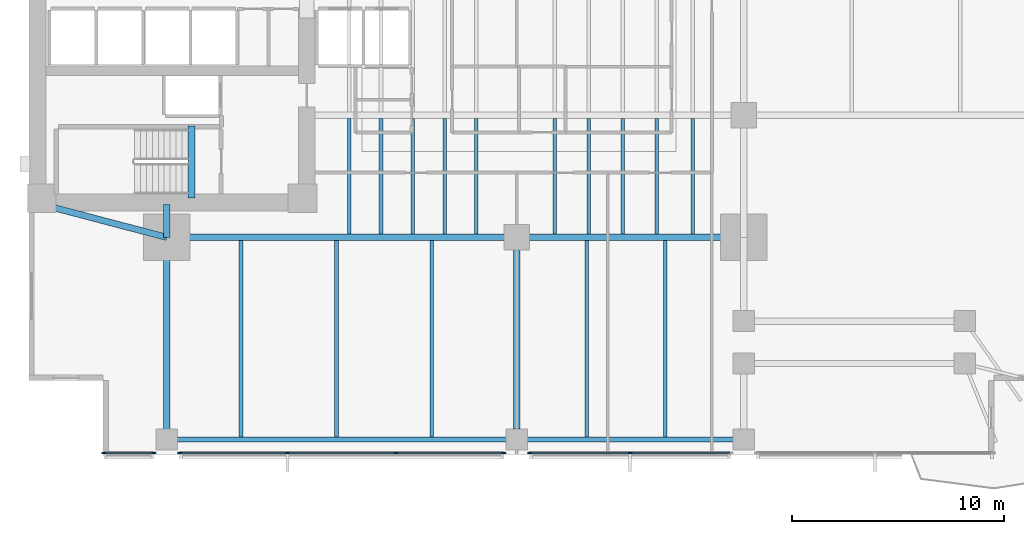
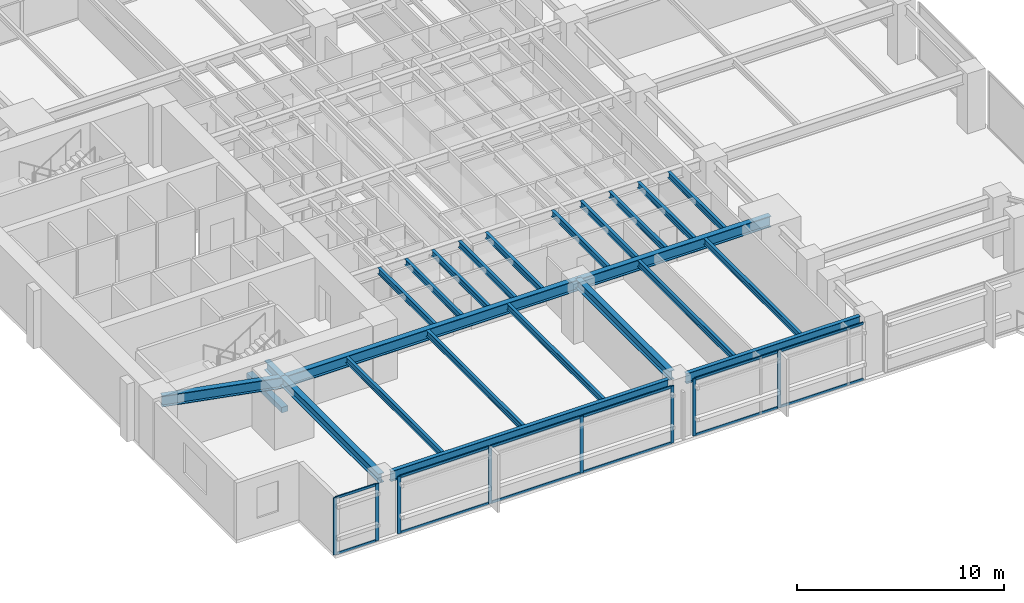
# One storey, part 2 of 15: 24 beams, 20 members, 3 elements without a shape of their own.
"""IFC4 building model written with IfcOpenShell, lengths in metres."""

from ifc_helpers import new_model, si_unit, direction, frame, origin, origin_2d, place, context, subcontext, project, spatial, rectangle, i_section, extrude, material, layer, layer_set, material_profile, profile_set, type_object, element, aggregate, save


model = new_model("IFC4")

# Units and contexts
model_context = context("Model", 3, precision=1e-05, world=origin(), true_north=direction((0.0, 1.0)))
body_context = subcontext(model_context, "Body", "Model", "MODEL_VIEW")
ifc_project = project(units=[si_unit("LENGTHUNIT", "METRE"), si_unit("AREAUNIT", "SQUARE_METRE"), si_unit("VOLUMEUNIT", "CUBIC_METRE"), si_unit("PLANEANGLEUNIT", "RADIAN"), si_unit("MASSUNIT", "GRAM", prefix="KILO")], contexts=[model_context])

# Site, building, storey
site_placement = place(None, origin())
site = spatial("IfcSite", under=ifc_project, at=site_placement, CompositionType="ELEMENT")
building_placement = place(site_placement, origin())
building = spatial("IfcBuilding", under=site, at=building_placement, Name="Kinhvarn Gate Tower", CompositionType="ELEMENT")
storey_placement = place(building_placement, frame((0.0, 0.0, 71.75)))
storey = spatial("IfcBuildingStorey", under=building, at=storey_placement, Name="L18", CompositionType="ELEMENT", Elevation=71.75)

# Beam
ifc_material_1 = material(Name="Concrete C50/60", Category="concrete")
ifc_material_profile_1 = material_profile(ifc_material_1, rectangle(XDim=0.340087890625, YDim=0.320068359375, at=origin_2d()), Name="RC 340x320")
ifc_profile_set_1 = profile_set([ifc_material_profile_1], Name="Concrete C50/60")
beam_type_1 = type_object("IfcBeamType", Name="BM-LND-500", PredefinedType="BEAM", material=ifc_profile_set_1)
beam_1_placement = place(storey_placement, frame((12.1650390625, 14.60009765625, -0.159912109375), z_axis=(0.0, 1.0, 0.0), x_axis=(-1.0, 0.0, 0.0)))
element("IfcBeam", 1, at=beam_1_placement, inside=storey, type_object=beam_type_1, Name="Stair ST1 Landing Nosing Beam (L18)", PredefinedType="BEAM", context=body_context, shape_type="SweptSolid", body=[
    extrude(rectangle(XDim=0.340087890625, YDim=0.320068359375, at=origin_2d()), origin(), (0.0, 0.0, 1.0), 3.39990234375),
])

# Curtain wall, members
ifc_material_2 = material(Name="Anodised aluminium AW-6063", Category="aluminium")
ifc_layer = layer(ifc_material_2, 0.179931640625)
ifc_layer_set = layer_set([ifc_layer], Name="Anodised aluminium AW-6063")
curtain_wall_type = type_object("IfcCurtainWallType", Name="CW-SYS-2", PredefinedType="NOTDEFINED", material=ifc_layer_set)
curtain_wall_1_placement = place(storey_placement, origin())
curtain_wall_1 = element("IfcCurtainWall", 2, at=curtain_wall_1_placement, inside=storey, type_object=curtain_wall_type, Name="Curtain Wall CW2 (L18)", PredefinedType="NOTDEFINED")
ifc_material_profile_2 = material_profile(ifc_material_2, rectangle(XDim=0.070068359375, YDim=0.179931640625, at=origin_2d()), Name="ALU 70x180")
ifc_profile_set_2 = profile_set([ifc_material_profile_2], Name="Anodised aluminium AW-6063")
member_type_1 = type_object("IfcMemberType", Name="CW-MUL-180", PredefinedType="MULLION", material=ifc_profile_set_2)
member_1_placement = place(storey_placement, frame((8.034912109375, 2.590087890625, 0.0), z_axis=(0.0, 0.0, 1.0), x_axis=(0.0, 1.0, 0.0)))
member_1 = element("IfcMember", 3, at=member_1_placement, type_object=member_type_1, Name="CW2 mullion 1", PredefinedType="MULLION", context=body_context, shape_type="SweptSolid", body=[
    extrude(rectangle(XDim=0.070068359375, YDim=0.179931640625, at=origin_2d()), origin(), (0.0, 0.0, 1.0), 3.3701171875),
])
member_2_placement = place(storey_placement, frame((10.385009765625, 2.590087890625, 0.0), z_axis=(0.0, 0.0, 1.0), x_axis=(0.0, 1.0, 0.0)))
member_2 = element("IfcMember", 4, at=member_2_placement, type_object=member_type_1, Name="CW2 mullion 2", PredefinedType="MULLION", context=body_context, shape_type="SweptSolid", body=[
    extrude(rectangle(XDim=0.070068359375, YDim=0.179931640625, at=origin_2d()), origin(), (0.0, 0.0, 1.0), 3.3701171875),
])

curtain_wall_2_placement = place(storey_placement, origin())
curtain_wall_2 = element("IfcCurtainWall", 5, at=curtain_wall_2_placement, inside=storey, type_object=curtain_wall_type, Name="Curtain Wall CW2 (L18)", PredefinedType="NOTDEFINED")
member_3_placement = place(storey_placement, frame((11.614990234375, 2.590087890625, 0.0), z_axis=(0.0, 0.0, 1.0), x_axis=(0.0, 1.0, 0.0)))
member_3 = element("IfcMember", 6, at=member_3_placement, type_object=member_type_1, Name="CW2 mullion 1", PredefinedType="MULLION", context=body_context, shape_type="SweptSolid", body=[
    extrude(rectangle(XDim=0.070068359375, YDim=0.179931640625, at=origin_2d()), origin(), (0.0, 0.0, 1.0), 3.3701171875),
])
member_4_placement = place(storey_placement, frame((16.693359375, 2.590087890625, 0.0), z_axis=(0.0, 0.0, 1.0), x_axis=(0.0, 1.0, 0.0)))
member_4 = element("IfcMember", 7, at=member_4_placement, type_object=member_type_1, Name="CW2 mullion 2", PredefinedType="MULLION", context=body_context, shape_type="SweptSolid", body=[
    extrude(rectangle(XDim=0.070068359375, YDim=0.179931640625, at=origin_2d()), origin(), (0.0, 0.0, 1.0), 3.3701171875),
])
member_5_placement = place(storey_placement, frame((21.806640625, 2.590087890625, 0.0), z_axis=(0.0, 0.0, 1.0), x_axis=(0.0, 1.0, 0.0)))
member_5 = element("IfcMember", 8, at=member_5_placement, type_object=member_type_1, Name="CW2 mullion 3", PredefinedType="MULLION", context=body_context, shape_type="SweptSolid", body=[
    extrude(rectangle(XDim=0.070068359375, YDim=0.179931640625, at=origin_2d()), origin(), (0.0, 0.0, 1.0), 3.3701171875),
])
member_6_placement = place(storey_placement, frame((26.885009765625, 2.590087890625, 0.0), z_axis=(0.0, 0.0, 1.0), x_axis=(0.0, 1.0, 0.0)))
member_6 = element("IfcMember", 9, at=member_6_placement, type_object=member_type_1, Name="CW2 mullion 4", PredefinedType="MULLION", context=body_context, shape_type="SweptSolid", body=[
    extrude(rectangle(XDim=0.070068359375, YDim=0.179931640625, at=origin_2d()), origin(), (0.0, 0.0, 1.0), 3.3701171875),
])

curtain_wall_3_placement = place(storey_placement, origin())
curtain_wall_3 = element("IfcCurtainWall", 10, at=curtain_wall_3_placement, inside=storey, type_object=curtain_wall_type, Name="Curtain Wall CW2 (L18)", PredefinedType="NOTDEFINED")
member_7_placement = place(storey_placement, frame((28.114990234375, 2.590087890625, 0.0), z_axis=(0.0, 0.0, 1.0), x_axis=(0.0, 1.0, 0.0)))
member_7 = element("IfcMember", 11, at=member_7_placement, type_object=member_type_1, Name="CW2 mullion 1", PredefinedType="MULLION", context=body_context, shape_type="SweptSolid", body=[
    extrude(rectangle(XDim=0.070068359375, YDim=0.179931640625, at=origin_2d()), origin(), (0.0, 0.0, 1.0), 3.3701171875),
])
member_8_placement = place(storey_placement, frame((32.85009765625, 2.590087890625, 0.0), z_axis=(0.0, 0.0, 1.0), x_axis=(0.0, 1.0, 0.0)))
member_8 = element("IfcMember", 12, at=member_8_placement, type_object=member_type_1, Name="CW2 mullion 2", PredefinedType="MULLION", context=body_context, shape_type="SweptSolid", body=[
    extrude(rectangle(XDim=0.070068359375, YDim=0.179931640625, at=origin_2d()), origin(), (0.0, 0.0, 1.0), 3.3701171875),
])

# Member
ifc_material_profile_3 = material_profile(ifc_material_2, rectangle(XDim=0.070068359375, YDim=0.139892578125, at=origin_2d()), Name="ALU 70x140")
ifc_profile_set_3 = profile_set([ifc_material_profile_3], Name="Anodised aluminium AW-6063")
member_type_2 = type_object("IfcMemberType", Name="CW-TRN-140", PredefinedType="USERDEFINED", material=ifc_profile_set_3)
member_9_placement = place(storey_placement, frame((8.070068359375, 2.590087890625, 0.034912109375), z_axis=(1.0, 0.0, 0.0), x_axis=(0.0, 1.0, 0.0)))
member_9 = element("IfcMember", 13, at=member_9_placement, type_object=member_type_2, Name="CW2 transom 1.1", ObjectType="TRANSOM", PredefinedType="USERDEFINED", context=body_context, shape_type="SweptSolid", body=[
    extrude(rectangle(XDim=0.070068359375, YDim=0.139892578125, at=origin_2d()), origin(), (0.0, 0.0, 1.0), 2.280029296875),
])

member_10_placement = place(storey_placement, frame((8.070068359375, 2.590087890625, 3.3349609375), z_axis=(1.0, 0.0, 0.0), x_axis=(0.0, 1.0, 0.0)))
member_10 = element("IfcMember", 14, at=member_10_placement, type_object=member_type_2, Name="CW2 transom 1.2", ObjectType="TRANSOM", PredefinedType="USERDEFINED", context=body_context, shape_type="SweptSolid", body=[
    extrude(rectangle(XDim=0.070068359375, YDim=0.139892578125, at=origin_2d()), origin(), (0.0, 0.0, 1.0), 2.280029296875),
])

aggregate(curtain_wall_1, [member_1, member_2, member_9, member_10])

member_11_placement = place(storey_placement, frame((11.64990234375, 2.590087890625, 0.034912109375), z_axis=(1.0, 0.0, 0.0), x_axis=(0.0, 1.0, 0.0)))
member_11 = element("IfcMember", 15, at=member_11_placement, type_object=member_type_2, Name="CW2 transom 1.1", ObjectType="TRANSOM", PredefinedType="USERDEFINED", context=body_context, shape_type="SweptSolid", body=[
    extrude(rectangle(XDim=0.070068359375, YDim=0.139892578125, at=origin_2d()), origin(), (0.0, 0.0, 1.0), 5.008544921875),
])

member_12_placement = place(storey_placement, frame((11.64990234375, 2.590087890625, 3.3349609375), z_axis=(1.0, 0.0, 0.0), x_axis=(0.0, 1.0, 0.0)))
member_12 = element("IfcMember", 16, at=member_12_placement, type_object=member_type_2, Name="CW2 transom 1.2", ObjectType="TRANSOM", PredefinedType="USERDEFINED", context=body_context, shape_type="SweptSolid", body=[
    extrude(rectangle(XDim=0.070068359375, YDim=0.139892578125, at=origin_2d()), origin(), (0.0, 0.0, 1.0), 5.008544921875),
])

member_13_placement = place(storey_placement, frame((16.728271484375, 2.590087890625, 0.034912109375), z_axis=(1.0, 0.0, 0.0), x_axis=(0.0, 1.0, 0.0)))
member_13 = element("IfcMember", 17, at=member_13_placement, type_object=member_type_2, Name="CW2 transom 2.1", ObjectType="TRANSOM", PredefinedType="USERDEFINED", context=body_context, shape_type="SweptSolid", body=[
    extrude(rectangle(XDim=0.070068359375, YDim=0.139892578125, at=origin_2d()), origin(), (0.0, 0.0, 1.0), 5.04345703125),
])

member_14_placement = place(storey_placement, frame((16.728271484375, 2.590087890625, 3.3349609375), z_axis=(1.0, 0.0, 0.0), x_axis=(0.0, 1.0, 0.0)))
member_14 = element("IfcMember", 18, at=member_14_placement, type_object=member_type_2, Name="CW2 transom 2.2", ObjectType="TRANSOM", PredefinedType="USERDEFINED", context=body_context, shape_type="SweptSolid", body=[
    extrude(rectangle(XDim=0.070068359375, YDim=0.139892578125, at=origin_2d()), origin(), (0.0, 0.0, 1.0), 5.04345703125),
])

member_15_placement = place(storey_placement, frame((21.841552734375, 2.590087890625, 0.034912109375), z_axis=(1.0, 0.0, 0.0), x_axis=(0.0, 1.0, 0.0)))
member_15 = element("IfcMember", 19, at=member_15_placement, type_object=member_type_2, Name="CW2 transom 3.1", ObjectType="TRANSOM", PredefinedType="USERDEFINED", context=body_context, shape_type="SweptSolid", body=[
    extrude(rectangle(XDim=0.070068359375, YDim=0.139892578125, at=origin_2d()), origin(), (0.0, 0.0, 1.0), 5.008544921875),
])

member_16_placement = place(storey_placement, frame((21.841552734375, 2.590087890625, 3.3349609375), z_axis=(1.0, 0.0, 0.0), x_axis=(0.0, 1.0, 0.0)))
member_16 = element("IfcMember", 20, at=member_16_placement, type_object=member_type_2, Name="CW2 transom 3.2", ObjectType="TRANSOM", PredefinedType="USERDEFINED", context=body_context, shape_type="SweptSolid", body=[
    extrude(rectangle(XDim=0.070068359375, YDim=0.139892578125, at=origin_2d()), origin(), (0.0, 0.0, 1.0), 5.008544921875),
])

aggregate(curtain_wall_2, [member_3, member_4, member_5, member_6, member_11, member_12, member_13, member_14, member_15, member_16])

member_17_placement = place(storey_placement, frame((28.14990234375, 2.590087890625, 0.034912109375), z_axis=(1.0, 0.0, 0.0), x_axis=(0.0, 1.0, 0.0)))
member_17 = element("IfcMember", 21, at=member_17_placement, type_object=member_type_2, Name="CW2 transom 1.1", ObjectType="TRANSOM", PredefinedType="USERDEFINED", context=body_context, shape_type="SweptSolid", body=[
    extrude(rectangle(XDim=0.070068359375, YDim=0.139892578125, at=origin_2d()), origin(), (0.0, 0.0, 1.0), 4.6650390625),
])

member_18_placement = place(storey_placement, frame((28.14990234375, 2.590087890625, 3.3349609375), z_axis=(1.0, 0.0, 0.0), x_axis=(0.0, 1.0, 0.0)))
member_18 = element("IfcMember", 22, at=member_18_placement, type_object=member_type_2, Name="CW2 transom 1.2", ObjectType="TRANSOM", PredefinedType="USERDEFINED", context=body_context, shape_type="SweptSolid", body=[
    extrude(rectangle(XDim=0.070068359375, YDim=0.139892578125, at=origin_2d()), origin(), (0.0, 0.0, 1.0), 4.6650390625),
])

member_19_placement = place(storey_placement, frame((32.885009765625, 2.590087890625, 0.034912109375), z_axis=(1.0, 0.0, 0.0), x_axis=(0.0, 1.0, 0.0)))
member_19 = element("IfcMember", 23, at=member_19_placement, type_object=member_type_2, Name="CW2 transom 2.1", ObjectType="TRANSOM", PredefinedType="USERDEFINED", context=body_context, shape_type="SweptSolid", body=[
    extrude(rectangle(XDim=0.070068359375, YDim=0.139892578125, at=origin_2d()), origin(), (0.0, 0.0, 1.0), 4.6650390625),
])

member_20_placement = place(storey_placement, frame((32.885009765625, 2.590087890625, 3.3349609375), z_axis=(1.0, 0.0, 0.0), x_axis=(0.0, 1.0, 0.0)))
member_20 = element("IfcMember", 24, at=member_20_placement, type_object=member_type_2, Name="CW2 transom 2.2", ObjectType="TRANSOM", PredefinedType="USERDEFINED", context=body_context, shape_type="SweptSolid", body=[
    extrude(rectangle(XDim=0.070068359375, YDim=0.139892578125, at=origin_2d()), origin(), (0.0, 0.0, 1.0), 4.6650390625),
])

aggregate(curtain_wall_3, [member_7, member_8, member_17, member_18, member_19, member_20])

# Beams
ifc_material_3 = material(Name="Steel S355", Category="steel")
ifc_material_profile_4 = material_profile(ifc_material_3, i_section(OverallWidth=0.300048828125, OverallDepth=0.550048828125, WebThickness=0.014892578125, FlangeThickness=0.029052734375, at=origin_2d()), Name="HEB 550")
ifc_profile_set_4 = profile_set([ifc_material_profile_4], Name="Steel S355")
beam_type_2 = type_object("IfcBeamType", Name="STL-HEB550", PredefinedType="BEAM", material=ifc_profile_set_4)
beam_2_placement = place(storey_placement, frame((11.0, 3.219970703125, 3.094970703125), z_axis=(0.0, 1.0, 0.0), x_axis=(-1.0, 0.0, 0.0)))
element("IfcBeam", 25, at=beam_2_placement, inside=storey, type_object=beam_type_2, Name="Floor Beam PG-15 (L18 MCW-S)", PredefinedType="BEAM", context=body_context, shape_type="SweptSolid", body=[
    extrude(i_section(OverallWidth=0.300048828125, OverallDepth=0.550048828125, WebThickness=0.014892578125, FlangeThickness=0.029052734375, at=origin_2d()), origin(), (0.0, 0.0, 1.0), 9.530029296875),
])
beam_3_placement = place(storey_placement, frame((11.0, 12.75, 3.094970703125), z_axis=(0.0, 1.0, 0.0), x_axis=(-1.0, 0.0, 0.0)))
element("IfcBeam", 26, at=beam_3_placement, inside=storey, type_object=beam_type_2, Name="Floor Beam PG-15 (L18 MCW-CS)", PredefinedType="BEAM", context=body_context, shape_type="SweptSolid", body=[
    extrude(i_section(OverallWidth=0.300048828125, OverallDepth=0.550048828125, WebThickness=0.014892578125, FlangeThickness=0.029052734375, at=origin_2d()), origin(), (0.0, 0.0, 1.0), 1.550048828125),
])
beam_4_placement = place(storey_placement, frame((27.5, 3.705078125, 3.094970703125), z_axis=(0.0, 1.0, 0.0), x_axis=(-1.0, 0.0, 0.0)))
element("IfcBeam", 27, at=beam_4_placement, inside=storey, type_object=beam_type_2, Name="Floor Beam PG-15 (L18 SP27-S-TIE)", PredefinedType="BEAM", context=body_context, shape_type="SweptSolid", body=[
    extrude(i_section(OverallWidth=0.300048828125, OverallDepth=0.550048828125, WebThickness=0.014892578125, FlangeThickness=0.029052734375, at=origin_2d()), origin(), (0.0, 0.0, 1.0), 9.044921875),
])
ifc_material_profile_5 = material_profile(ifc_material_3, i_section(OverallWidth=0.300048828125, OverallDepth=0.64990234375, WebThickness=0.01611328125, FlangeThickness=0.031005859375, at=origin_2d()), Name="HEB 650")
ifc_profile_set_5 = profile_set([ifc_material_profile_5], Name="Steel S355")
beam_type_3 = type_object("IfcBeamType", Name="STL-HEB650", PredefinedType="BEAM", material=ifc_profile_set_5)
beam_5_placement = place(storey_placement, frame((11.0, 12.75, 3.044921875), z_axis=(1.0, 0.0, 0.0), x_axis=(0.0, 1.0, 0.0)))
element("IfcBeam", 28, at=beam_5_placement, inside=storey, type_object=beam_type_3, Name="Floor Beam PG-17 (L18 MG-S1)", PredefinedType="BEAM", context=body_context, shape_type="SweptSolid", body=[
    extrude(i_section(OverallWidth=0.300048828125, OverallDepth=0.64990234375, WebThickness=0.01611328125, FlangeThickness=0.031005859375, at=origin_2d()), origin(), (0.0, 0.0, 1.0), 16.5),
])
beam_6_placement = place(storey_placement, frame((27.5, 12.75, 3.044921875), z_axis=(1.0, 0.0, 0.0), x_axis=(0.0, 1.0, 0.0)))
element("IfcBeam", 29, at=beam_6_placement, inside=storey, type_object=beam_type_3, Name="Floor Beam PG-17 (L18 MG-S2)", PredefinedType="BEAM", context=body_context, shape_type="SweptSolid", body=[
    extrude(i_section(OverallWidth=0.300048828125, OverallDepth=0.64990234375, WebThickness=0.01611328125, FlangeThickness=0.031005859375, at=origin_2d()), origin(), (0.0, 0.0, 1.0), 10.699951171875),
])
beam_7_placement = place(storey_placement, frame((5.10009765625, 14.300048828125, 3.044921875), z_axis=(0.967177623957, -0.254101246979, 0.0), x_axis=(0.254101246979, 0.967177623957, 0.0)))
element("IfcBeam", 30, at=beam_7_placement, inside=storey, type_object=beam_type_3, Name="Floor Beam PG-17 (L18 MG-SW-DIAG)", PredefinedType="BEAM", context=body_context, shape_type="SweptSolid", body=[
    extrude(i_section(OverallWidth=0.300048828125, OverallDepth=0.64990234375, WebThickness=0.01611328125, FlangeThickness=0.031005859375, at=origin_2d()), origin(), (0.0, 0.0, 1.0), 6.10009765625),
])
ifc_material_profile_6 = material_profile(ifc_material_3, i_section(OverallWidth=0.169921875, OverallDepth=0.360107421875, WebThickness=0.008056640625, FlangeThickness=0.0126953125, at=origin_2d()), Name="IPE 360")
ifc_profile_set_6 = profile_set([ifc_material_profile_6], Name="Steel S355")
beam_type_4 = type_object("IfcBeamType", Name="STL-IPE360", PredefinedType="JOIST", material=ifc_profile_set_6)
for number, where, z_axis, x_axis, name in (
    (31, (19.60009765625, 12.89990234375, 3.18994140625), (0.0, 1.0, 0.0), (-1.0, 0.0, 0.0), "Floor Joist SB-04 (L18 JC-X196-0)"),
    (32, (21.10009765625, 12.89990234375, 3.18994140625), (0.0, 1.0, 0.0), (-1.0, 0.0, 0.0), "Floor Joist SB-04 (L18 JC-X211-0)"),
    (33, (22.60009765625, 12.89990234375, 3.18994140625), (0.0, 1.0, 0.0), (-1.0, 0.0, 0.0), "Floor Joist SB-04 (L18 JC-X226-0)"),
    (34, (24.10009765625, 12.89990234375, 3.18994140625), (0.0, 1.0, 0.0), (-1.0, 0.0, 0.0), "Floor Joist SB-04 (L18 JC-X241-0)"),
    (35, (25.60009765625, 12.89990234375, 3.18994140625), (0.0, 1.0, 0.0), (-1.0, 0.0, 0.0), "Floor Joist SB-04 (L18 JC-X256-0)"),
    (36, (29.300048828125, 12.89990234375, 3.18994140625), (0.0, 1.0, 0.0), (-1.0, 0.0, 0.0), "Floor Joist SB-04 (L18 JC-X293-0)"),
    (37, (30.89990234375, 12.89990234375, 3.18994140625), (0.0, 1.0, 0.0), (-1.0, 0.0, 0.0), "Floor Joist SB-04 (L18 JC-X309-0)"),
    (38, (32.5, 12.89990234375, 3.18994140625), (0.0, 1.0, 0.0), (-1.0, 0.0, 0.0), "Floor Joist SB-04 (L18 JC-X325-0)"),
    (39, (34.10009765625, 12.89990234375, 3.18994140625), (0.0, 1.0, 0.0), (-1.0, 0.0, 0.0), "Floor Joist SB-04 (L18 JC-X341-0)"),
    (40, (35.800048828125, 12.89990234375, 3.18994140625), (0.0, 1.0, 0.0), (-1.0, 0.0, 0.0), "Floor Joist SB-04 (L18 JC-X358-0)"),
):
    element("IfcBeam", number, at=place(storey_placement, frame(where, z_axis=z_axis, x_axis=x_axis)), inside=storey, type_object=beam_type_4, Name=name, PredefinedType="JOIST", context=body_context, shape_type="SweptSolid", body=[
        extrude(i_section(OverallWidth=0.169921875, OverallDepth=0.360107421875, WebThickness=0.008056640625, FlangeThickness=0.0126953125, at=origin_2d()), origin(), (0.0, 0.0, 1.0), 5.4501953125),
    ])
for number, where, z_axis, x_axis, name in (
    (41, (14.5, 3.330078125, 3.18994140625), (0.0, 1.0, 0.0), (-1.0, 0.0, 0.0), "Floor Joist SB-04 (L18 JS-X145)"),
    (42, (19.0, 3.330078125, 3.18994140625), (0.0, 1.0, 0.0), (-1.0, 0.0, 0.0), "Floor Joist SB-04 (L18 JS-X190)"),
    (43, (23.5, 3.330078125, 3.18994140625), (0.0, 1.0, 0.0), (-1.0, 0.0, 0.0), "Floor Joist SB-04 (L18 JS-X235)"),
    (44, (30.800048828125, 3.330078125, 3.18994140625), (0.0, 1.0, 0.0), (-1.0, 0.0, 0.0), "Floor Joist SB-04 (L18 JS-X308)"),
    (45, (34.5, 3.330078125, 3.18994140625), (0.0, 1.0, 0.0), (-1.0, 0.0, 0.0), "Floor Joist SB-04 (L18 JS-X345)"),
):
    element("IfcBeam", number, at=place(storey_placement, frame(where, z_axis=z_axis, x_axis=x_axis)), inside=storey, type_object=beam_type_4, Name=name, PredefinedType="JOIST", context=body_context, shape_type="SweptSolid", body=[
        extrude(i_section(OverallWidth=0.169921875, OverallDepth=0.360107421875, WebThickness=0.008056640625, FlangeThickness=0.0126953125, at=origin_2d()), origin(), (0.0, 0.0, 1.0), 9.27001953125),
    ])
ifc_material_profile_7 = material_profile(ifc_material_3, i_section(OverallWidth=0.219970703125, OverallDepth=0.60009765625, WebThickness=0.011962890625, FlangeThickness=0.01904296875, at=origin_2d()), Name="IPE 600")
ifc_profile_set_7 = profile_set([ifc_material_profile_7], Name="Steel S355")
beam_type_5 = type_object("IfcBeamType", Name="STL-IPE600", PredefinedType="SPANDREL", material=ifc_profile_set_7)
beam_8_placement = place(storey_placement, frame((11.485107421875, 3.219970703125, 3.070068359375), z_axis=(1.0, 0.0, 0.0), x_axis=(0.0, 1.0, 0.0)))
element("IfcBeam", 46, at=beam_8_placement, inside=storey, type_object=beam_type_5, Name="Floor Spandrel SB-09 (L18 SP-S1)", PredefinedType="SPANDREL", context=body_context, shape_type="SweptSolid", body=[
    extrude(i_section(OverallWidth=0.219970703125, OverallDepth=0.60009765625, WebThickness=0.011962890625, FlangeThickness=0.01904296875, at=origin_2d()), origin(), (0.0, 0.0, 1.0), 15.52978515625),
])
beam_9_placement = place(storey_placement, frame((27.985107421875, 3.219970703125, 3.070068359375), z_axis=(1.0, 0.0, 0.0), x_axis=(0.0, 1.0, 0.0)))
element("IfcBeam", 47, at=beam_9_placement, inside=storey, type_object=beam_type_5, Name="Floor Spandrel SB-09 (L18 SP-S2)", PredefinedType="SPANDREL", context=body_context, shape_type="SweptSolid", body=[
    extrude(i_section(OverallWidth=0.219970703125, OverallDepth=0.60009765625, WebThickness=0.011962890625, FlangeThickness=0.01904296875, at=origin_2d()), origin(), (0.0, 0.0, 1.0), 9.72998046875),
])

save(model, "model.ifc")
